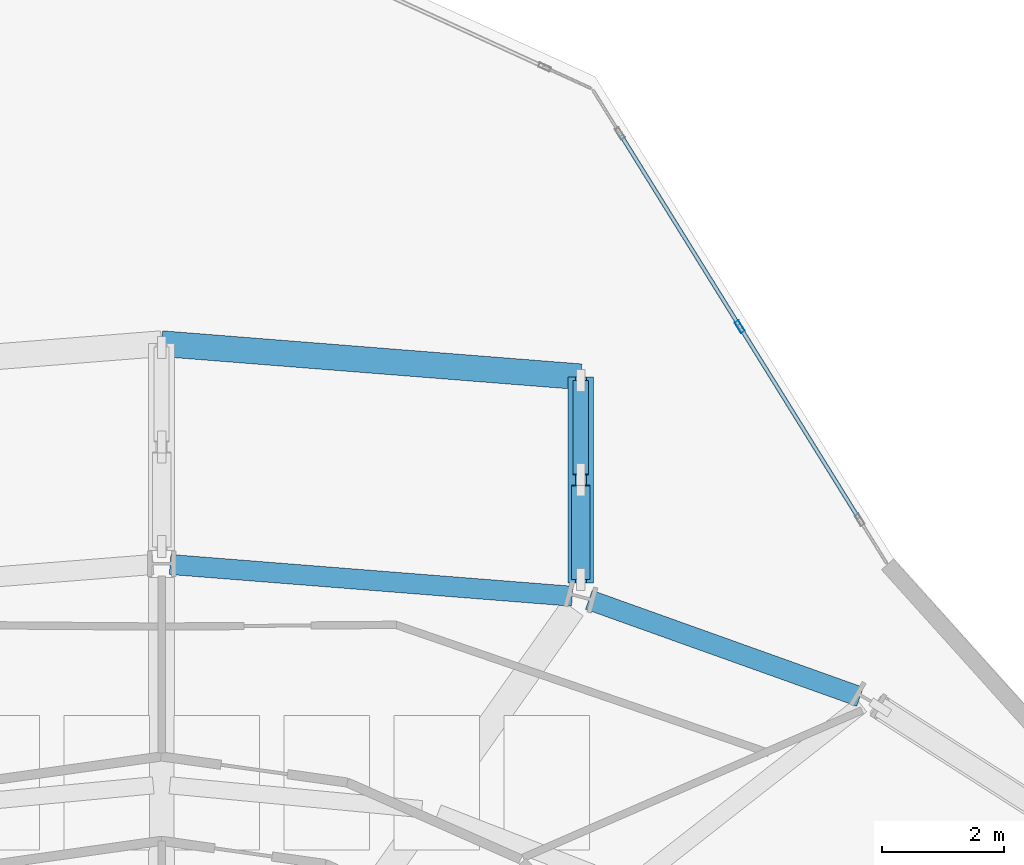
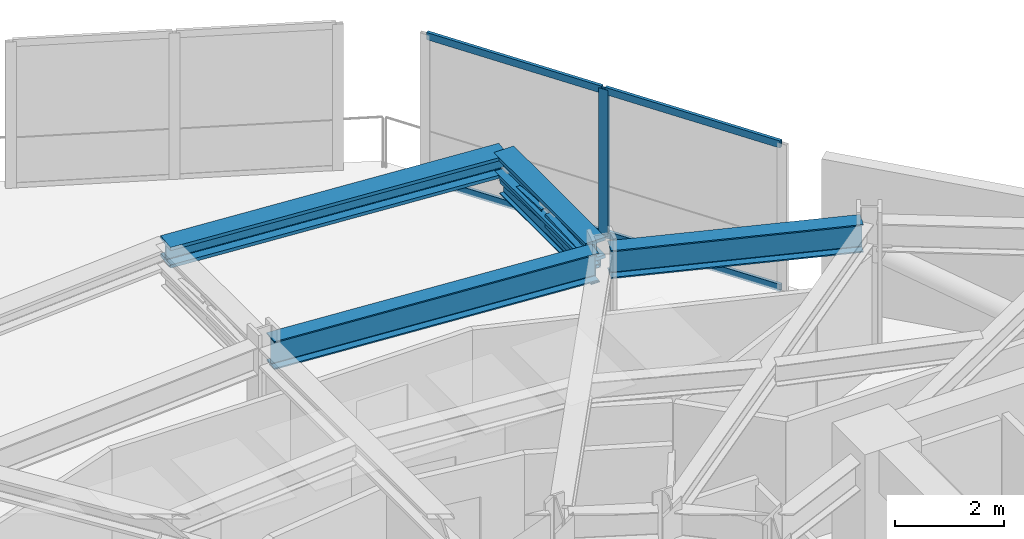
# One storey, part 9 of 19: 7 members, 5 beams, 1 element without a shape of its own.
"""IFC4 building model written with IfcOpenShell, lengths in metres."""

from ifc_helpers import new_model, si_unit, direction, frame, origin, origin_2d, place, context, subcontext, project, spatial, hollow_rectangle, i_section, extrude, material, layer, layer_set, material_profile, profile_set, type_object, element, aggregate, save


model = new_model("IFC4")

# Units and contexts
model_context = context("Model", 3, precision=1e-05, world=origin(), true_north=direction((0.0, 1.0)))
body_context = subcontext(model_context, "Body", "Model", "MODEL_VIEW")
ifc_project = project(units=[si_unit("LENGTHUNIT", "METRE"), si_unit("AREAUNIT", "SQUARE_METRE"), si_unit("VOLUMEUNIT", "CUBIC_METRE"), si_unit("PLANEANGLEUNIT", "RADIAN"), si_unit("MASSUNIT", "GRAM", prefix="KILO")], contexts=[model_context])

# Site, building, storey
site_placement = place(None, origin())
site = spatial("IfcSite", under=ifc_project, at=site_placement, CompositionType="ELEMENT")
building_placement = place(site_placement, origin())
building = spatial("IfcBuilding", under=site, at=building_placement, Name="Solvane Sanctuary Tower", CompositionType="ELEMENT")
storey_placement = place(building_placement, frame((0.0, 0.0, 242.39990234375)))
storey = spatial("IfcBuildingStorey", under=building, at=storey_placement, Name="L74", CompositionType="ELEMENT", Elevation=242.39990234375)

# Beams
ifc_material_1 = material(Name="Steel ASTM A913 Grade 65", Category="steel")
ifc_material_profile_1 = material_profile(ifc_material_1, i_section(OverallWidth=0.422119140625, OverallDepth=0.465087890625, WebThickness=0.044921875, FlangeThickness=0.072509765625, FilletRadius=0.02490234375, at=origin_2d()), Name="W14X398")
ifc_profile_set_1 = profile_set([ifc_material_profile_1], Name="Steel ASTM A913 Grade 65")
beam_type_1 = type_object("IfcBeamType", Name="Beam B-CANT-CH W14X398", PredefinedType="BEAM", material=ifc_profile_set_1)
beam_1_placement = place(storey_placement, frame((38.856201171875, 38.36669921875, 3.085693359375), z_axis=(0.0, 1.0, 0.0), x_axis=(-1.0, 0.0, 0.0)))
element("IfcBeam", 1, at=beam_1_placement, inside=storey, type_object=beam_type_1, Name="L74 Sky-Dining Truss Top Chord C03", PredefinedType="BEAM", context=body_context, shape_type="SweptSolid", body=[
    extrude(i_section(OverallWidth=0.422119140625, OverallDepth=0.465087890625, WebThickness=0.044921875, FlangeThickness=0.072509765625, FilletRadius=0.02490234375, at=origin_2d()), origin(), (0.0, 0.0, 1.0), 3.37158203125),
])
beam_2_placement = place(storey_placement, frame((32.0, 42.280029296875, 3.085693359375), z_axis=(0.996892795984, -0.078770256536, 0.0), x_axis=(0.078770256536, 0.996892795984, 0.0)))
element("IfcBeam", 2, at=beam_2_placement, inside=storey, type_object=beam_type_1, Name="L74 Sky-Dining Transverse Tie Beam 2", PredefinedType="BEAM", context=body_context, shape_type="SweptSolid", body=[
    extrude(i_section(OverallWidth=0.422119140625, OverallDepth=0.465087890625, WebThickness=0.044921875, FlangeThickness=0.072509765625, FilletRadius=0.02490234375, at=origin_2d()), origin(), (0.0, 0.0, 1.0), 6.877685546875),
])
ifc_material_2 = material(Name="Steel ASTM A992 Grade 50", Category="steel")
ifc_material_profile_2 = material_profile(ifc_material_2, i_section(OverallWidth=0.180908203125, OverallDepth=0.4169921875, WebThickness=0.010986328125, FlangeThickness=0.018310546875, FilletRadius=0.012939453125, at=origin_2d()), Name="W16X57")
ifc_profile_set_2 = profile_set([ifc_material_profile_2], Name="Steel ASTM A992 Grade 50")
beam_type_2 = type_object("IfcBeamType", Name="Beam B-ROOF-BM W16X57", PredefinedType="BEAM", material=ifc_profile_set_2)
beam_3_placement = place(storey_placement, frame((38.856201171875, 38.36669921875, 2.56005859375), z_axis=(0.0, 1.0, 0.0), x_axis=(-1.0, 0.0, 0.0)))
element("IfcBeam", 3, at=beam_3_placement, inside=storey, type_object=beam_type_2, Name="L74 Sky-Dining Truss Bottom Chord C03", PredefinedType="BEAM", context=body_context, shape_type="SweptSolid", body=[
    extrude(i_section(OverallWidth=0.180908203125, OverallDepth=0.4169921875, WebThickness=0.010986328125, FlangeThickness=0.018310546875, FilletRadius=0.012939453125, at=origin_2d()), origin(), (0.0, 0.0, 1.0), 3.37158203125),
])
ifc_material_profile_3 = material_profile(ifc_material_2, i_section(OverallWidth=0.327880859375, OverallDepth=0.6279296875, WebThickness=0.0166015625, FlangeThickness=0.027587890625, FilletRadius=0.01611328125, at=origin_2d()), Name="W24X146")
ifc_profile_set_3 = profile_set([ifc_material_profile_3], Name="Steel ASTM A992 Grade 50")
beam_type_3 = type_object("IfcBeamType", Name="Beam B-SPAND-Z3 W24X146", PredefinedType="SPANDREL", material=ifc_profile_set_3)
beam_4_placement = place(storey_placement, frame((32.1396484375, 38.6689453125, 3.004150390625), z_axis=(0.996894556567, -0.078747971951, 0.0), x_axis=(0.078747971951, 0.996894556567, 0.0)))
element("IfcBeam", 4, at=beam_4_placement, inside=storey, type_object=beam_type_3, Name="L74 Perimeter Spandrel Beam TC04-TC03", PredefinedType="SPANDREL", context=body_context, shape_type="SweptSolid", body=[
    extrude(i_section(OverallWidth=0.327880859375, OverallDepth=0.6279296875, WebThickness=0.0166015625, FlangeThickness=0.027587890625, FilletRadius=0.01611328125, at=origin_2d()), origin(), (0.0, 0.0, 1.0), 6.597412109375),
])
beam_5_placement = place(storey_placement, frame((38.98779296875, 38.091064453125, 3.004150390625), z_axis=(0.941570600413, -0.336815683184, 0.0), x_axis=(0.336815683184, 0.941570600413, 0.0)))
element("IfcBeam", 5, at=beam_5_placement, inside=storey, type_object=beam_type_3, Name="L74 Perimeter Spandrel Beam TC03-TC02", PredefinedType="SPANDREL", context=body_context, shape_type="SweptSolid", body=[
    extrude(i_section(OverallWidth=0.327880859375, OverallDepth=0.6279296875, WebThickness=0.0166015625, FlangeThickness=0.027587890625, FilletRadius=0.01611328125, at=origin_2d()), origin(), (0.0, 0.0, 1.0), 4.710693359375),
])

# Members
ifc_material_profile_4 = material_profile(ifc_material_1, hollow_rectangle(XDim=0.300048828125, YDim=0.300048828125, WallThickness=0.012451171875, at=origin_2d()), Name="HSS300X300X12.5")
ifc_profile_set_4 = profile_set([ifc_material_profile_4], Name="Steel ASTM A913 Grade 65")
member_type_1 = type_object("IfcMemberType", Name="Member M-CANT-DIAG HSS300X300X12.5", PredefinedType="STRUT", material=ifc_profile_set_4)
member_1_placement = place(storey_placement, frame((38.856201171875, 38.431640625, 2.768798828125), z_axis=(0.0, 0.998634932523, 0.052232858853), x_axis=(-1.0, 0.0, 0.0)))
element("IfcMember", 6, at=member_1_placement, inside=storey, type_object=member_type_1, Name="L74 Sky-Dining Truss Diagonal C03-P1", PredefinedType="STRUT", context=body_context, shape_type="SweptSolid", body=[
    extrude(hollow_rectangle(XDim=0.300048828125, YDim=0.300048828125, WallThickness=0.012451171875, at=origin_2d()), origin(), (0.0, 0.0, 1.0), 1.533203125),
])
ifc_material_profile_5 = material_profile(ifc_material_1, hollow_rectangle(XDim=0.25, YDim=0.25, WallThickness=0.012451171875, at=origin_2d()), Name="HSS250X250X12.5")
ifc_profile_set_5 = profile_set([ifc_material_profile_5], Name="Steel ASTM A913 Grade 65")
member_type_2 = type_object("IfcMemberType", Name="Member M-CANT-POST HSS250X250X12.5", PredefinedType="POST", material=ifc_profile_set_5)
member_2_placement = place(storey_placement, frame((38.856201171875, 40.142333984375, 2.848876953125), z_axis=(0.0, 0.998634932523, -0.052232858853), x_axis=(-1.0, 0.0, 0.0)))
element("IfcMember", 7, at=member_2_placement, inside=storey, type_object=member_type_2, Name="L74 Sky-Dining Truss Web Post C03-P1", PredefinedType="POST", context=body_context, shape_type="SweptSolid", body=[
    extrude(hollow_rectangle(XDim=0.25, YDim=0.25, WallThickness=0.012451171875, at=origin_2d()), origin(), (0.0, 0.0, 1.0), 1.533203125),
])

# Curtain wall, members
ifc_material_3 = material(Name="Anodised Aluminium 6063-T6", Category="aluminium")
ifc_layer = layer(ifc_material_3, 0.18994140625, Name="Anodised Aluminium 6063-T6")
ifc_layer_set = layer_set([ifc_layer], Name="Anodised Aluminium 6063-T6")
curtain_wall_type = type_object("IfcCurtainWallType", Name="Curtain Wall CW-OPER", PredefinedType="NOTDEFINED", material=ifc_layer_set)
curtain_wall_placement = place(storey_placement, origin())
curtain_wall = element("IfcCurtainWall", 8, at=curtain_wall_placement, inside=storey, type_object=curtain_wall_type, Name="L74 CW-OPER Facade Run 04", PredefinedType="NOTDEFINED")
ifc_material_profile_6 = material_profile(ifc_material_3, hollow_rectangle(XDim=0.074951171875, YDim=0.199951171875, WallThickness=0.00390625, at=origin_2d()), Name="ALU200X75X4")
ifc_profile_set_6 = profile_set([ifc_material_profile_6], Name="Anodised Aluminium 6063-T6")
member_type_3 = type_object("IfcMemberType", Name="Member M-CW-MUL-1 ALU200X75X4", PredefinedType="MULLION", material=ifc_profile_set_6)
member_3_placement = place(storey_placement, frame((41.45654296875, 42.558349609375, 0.0), z_axis=(0.0, 0.0, 1.0), x_axis=(-0.849622273102, -0.527391688453, 0.0)))
member_3 = element("IfcMember", 9, at=member_3_placement, type_object=member_type_3, Name="CW-OPER mullion 2", PredefinedType="MULLION", context=body_context, shape_type="SweptSolid", body=[
    extrude(hollow_rectangle(XDim=0.074951171875, YDim=0.199951171875, WallThickness=0.00390625, at=origin_2d()), origin(), (0.0, 0.0, 1.0), 3.280029296875),
])
ifc_material_profile_7 = material_profile(ifc_material_3, hollow_rectangle(XDim=0.06494140625, YDim=0.159912109375, WallThickness=0.00341796875, at=origin_2d()), Name="ALU160X65X3.5")
ifc_profile_set_7 = profile_set([ifc_material_profile_7], Name="Anodised Aluminium 6063-T6")
member_type_4 = type_object("IfcMemberType", Name="Member M-CW-TRN-1 ALU160X65X3.5", PredefinedType="USERDEFINED", material=ifc_profile_set_7)
member_4_placement = place(storey_placement, frame((43.39794921875, 39.430419921875, 0.03271484375), z_axis=(-0.527364529612, 0.849639130989, 0.0), x_axis=(-0.849639130989, -0.527364529612, 0.0)))
member_4 = element("IfcMember", 10, at=member_4_placement, type_object=member_type_4, Name="CW-OPER transom 1.1", ObjectType="TRANSOM", PredefinedType="USERDEFINED", context=body_context, shape_type="SweptSolid", body=[
    extrude(hollow_rectangle(XDim=0.06494140625, YDim=0.159912109375, WallThickness=0.00341796875, at=origin_2d()), origin(), (0.0, 0.0, 1.0), 3.643798828125),
])
member_5_placement = place(storey_placement, frame((43.39794921875, 39.430419921875, 3.24755859375), z_axis=(-0.527364529612, 0.849639130989, 0.0), x_axis=(-0.849639130989, -0.527364529612, 0.0)))
member_5 = element("IfcMember", 11, at=member_5_placement, type_object=member_type_4, Name="CW-OPER transom 1.2", ObjectType="TRANSOM", PredefinedType="USERDEFINED", context=body_context, shape_type="SweptSolid", body=[
    extrude(hollow_rectangle(XDim=0.06494140625, YDim=0.159912109375, WallThickness=0.00341796875, at=origin_2d()), origin(), (0.0, 0.0, 1.0), 3.643798828125),
])
member_6_placement = place(storey_placement, frame((41.436767578125, 42.590087890625, 0.03271484375), z_axis=(-0.527364529612, 0.849639130989, 0.0), x_axis=(-0.849639130989, -0.527364529612, 0.0)))
member_6 = element("IfcMember", 12, at=member_6_placement, type_object=member_type_4, Name="CW-OPER transom 2.1", ObjectType="TRANSOM", PredefinedType="USERDEFINED", context=body_context, shape_type="SweptSolid", body=[
    extrude(hollow_rectangle(XDim=0.06494140625, YDim=0.159912109375, WallThickness=0.00341796875, at=origin_2d()), origin(), (0.0, 0.0, 1.0), 3.643798828125),
])
member_7_placement = place(storey_placement, frame((41.436767578125, 42.590087890625, 3.24755859375), z_axis=(-0.527364529612, 0.849639130989, 0.0), x_axis=(-0.849639130989, -0.527364529612, 0.0)))
member_7 = element("IfcMember", 13, at=member_7_placement, type_object=member_type_4, Name="CW-OPER transom 2.2", ObjectType="TRANSOM", PredefinedType="USERDEFINED", context=body_context, shape_type="SweptSolid", body=[
    extrude(hollow_rectangle(XDim=0.06494140625, YDim=0.159912109375, WallThickness=0.00341796875, at=origin_2d()), origin(), (0.0, 0.0, 1.0), 3.643798828125),
])
aggregate(curtain_wall, [member_3, member_4, member_5, member_6, member_7])

save(model, "model.ifc")
